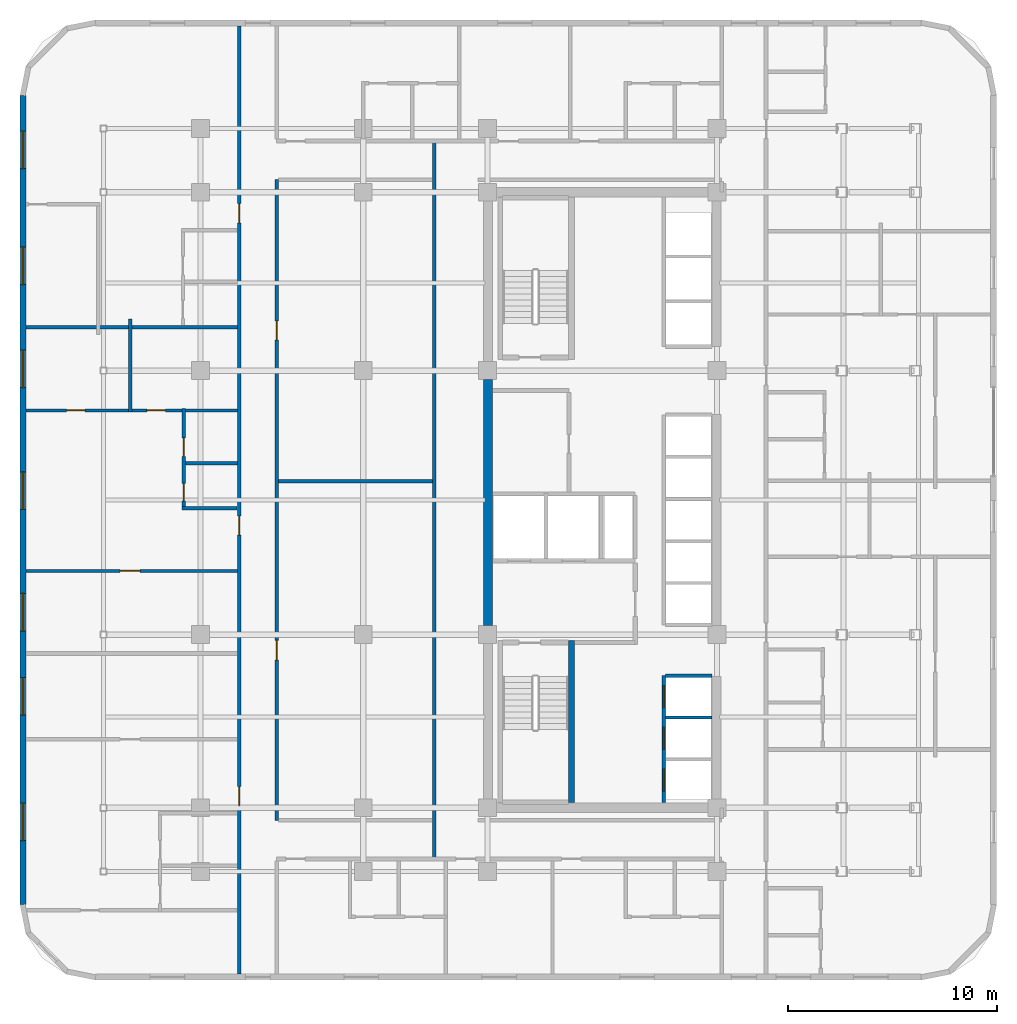
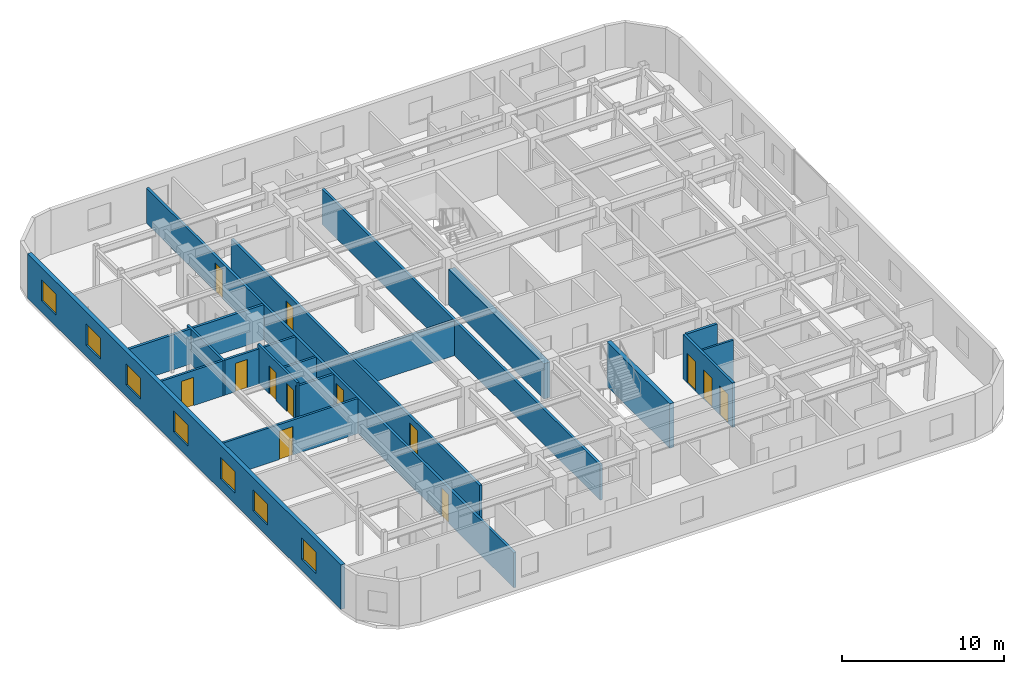
# One storey, part 8 of 13: 17 walls, 13 doors, 7 windows, 20 openings.
"""IFC4 building model written with IfcOpenShell, lengths in metres."""

from ifc_helpers import new_model, si_unit, direction, frame, frame_2d, origin, place, context, subcontext, project, spatial, rectangle, extrude, material, layer, layer_set, type_object, element, fill, save


model = new_model("IFC4")

# Units and contexts
model_context = context("Model", 3, precision=1e-05, world=origin(), true_north=direction((0.0, 1.0)))
body_context = subcontext(model_context, "Body", "Model", "MODEL_VIEW")
ifc_project = project(units=[si_unit("LENGTHUNIT", "METRE"), si_unit("AREAUNIT", "SQUARE_METRE"), si_unit("VOLUMEUNIT", "CUBIC_METRE"), si_unit("PLANEANGLEUNIT", "RADIAN"), si_unit("MASSUNIT", "GRAM", prefix="KILO")], contexts=[model_context])

# Site, building, storey
site_placement = place(None, origin())
site = spatial("IfcSite", under=ifc_project, at=site_placement, CompositionType="ELEMENT")
building_placement = place(site_placement, origin())
building = spatial("IfcBuilding", under=site, at=building_placement, Name="Ochreholt Gables", CompositionType="ELEMENT")
storey_placement = place(building_placement, frame((0.0, 0.0, 34.800048828125)))
storey = spatial("IfcBuildingStorey", under=building, at=storey_placement, Name="L08", CompositionType="ELEMENT", Elevation=34.800048828125)

# Wall
ifc_material_1 = material(Name="Concrete 60 MPa", Category="concrete")
ifc_layer_1 = layer(ifc_material_1, 0.449951171875, Name="Concrete 60 MPa")
ifc_layer_set_1 = layer_set([ifc_layer_1], Name="Concrete 60 MPa")
wall_type_1 = type_object("IfcWallType", Name="WALL-CSW-450", PredefinedType="SHEAR", material=ifc_layer_set_1)
wall_1_placement = place(storey_placement, frame((24.22509765625, 17.97509765625, 0.0), z_axis=(0.0, 0.0, 1.0), x_axis=(0.0, 1.0, 0.0)))
element("IfcWall", 1, at=wall_1_placement, inside=storey, type_object=wall_type_1, Name="L08 Core West Shear Wall WM", PredefinedType="SHEAR", context=body_context, shape_type="SweptSolid", body=[
    extrude(rectangle(XDim=11.7998046875, YDim=0.449951171875, at=frame_2d((5.89990234375, 0.0))), origin(), (0.0, 0.0, 1.0), 2.6669921875),
])

# Wall, openings, windows
ifc_material_2 = material(Name="Precast concrete 40 MPa", Category="concrete")
ifc_layer_2 = layer(ifc_material_2, 0.2900390625, Name="Precast concrete 40 MPa")
ifc_layer_set_2 = layer_set([ifc_layer_2], Name="Precast concrete 40 MPa")
wall_type_2 = type_object("IfcWallType", Name="WALL-EXT-290", PredefinedType="SOLIDWALL", material=ifc_layer_set_2)
wall_2_placement = place(storey_placement, frame((1.945068359375, 43.3798828125, 0.0), z_axis=(0.0, 0.0, 1.0), x_axis=(0.0, -1.0, 0.0)))
wall_2 = element("IfcWall", 2, at=wall_2_placement, inside=storey, type_object=wall_type_2, Name="L08 West Exterior Wall", PredefinedType="SOLIDWALL", context=body_context, shape_type="SweptSolid", body=[
    extrude(rectangle(XDim=38.759765625, YDim=0.2900390625, at=frame_2d((19.3798828125, 0.0))), origin(), (0.0, 0.0, 1.0), 3.35986328125),
])
opening_1_placement = place(wall_2_placement, frame((33.900146484375, 0.0, 0.85009765625)))
opening_1 = element("IfcOpeningElement", 3, at=opening_1_placement, cuts=wall_2, Name="Opening WN-1", PredefinedType="OPENING", context=body_context, shape_type="SweptSolid", body=[
    extrude(rectangle(XDim=1.800048828125, YDim=1.60009765625, at=frame_2d((0.89990234375, 0.800048828125))), frame((0.0, 0.155029296875, 0.0), z_axis=(0.0, -1.0, 0.0), x_axis=(1.0, 0.0, 0.0)), (0.0, 0.0, 1.0), 0.31005859375),
])
opening_2_placement = place(wall_2_placement, frame((27.89013671875, 0.0, 0.85009765625)))
opening_2 = element("IfcOpeningElement", 4, at=opening_2_placement, cuts=wall_2, Name="Opening WN-1", PredefinedType="OPENING", context=body_context, shape_type="SweptSolid", body=[
    extrude(rectangle(XDim=1.800048828125, YDim=1.60009765625, at=frame_2d((0.89990234375, 0.800048828125))), frame((0.0, 0.155029296875, 0.0), z_axis=(0.0, -1.0, 0.0), x_axis=(1.0, 0.0, 0.0)), (0.0, 0.0, 1.0), 0.31005859375),
])
opening_3_placement = place(wall_2_placement, frame((23.859130859375, 0.0, 0.85009765625)))
opening_3 = element("IfcOpeningElement", 5, at=opening_3_placement, cuts=wall_2, Name="Opening WN-1", PredefinedType="OPENING", context=body_context, shape_type="SweptSolid", body=[
    extrude(rectangle(XDim=1.800048828125, YDim=1.60009765625, at=frame_2d((0.89990234375, 0.800048828125))), frame((0.0, 0.155029296875, 0.0), z_axis=(0.0, -1.0, 0.0), x_axis=(1.0, 0.0, 0.0)), (0.0, 0.0, 1.0), 0.31005859375),
])
opening_4_placement = place(wall_2_placement, frame((18.0341796875, 0.0, 0.85009765625)))
opening_4 = element("IfcOpeningElement", 6, at=opening_4_placement, cuts=wall_2, Name="Opening WN-1", PredefinedType="OPENING", context=body_context, shape_type="SweptSolid", body=[
    extrude(rectangle(XDim=1.800048828125, YDim=1.60009765625, at=frame_2d((0.89990234375, 0.800048828125))), frame((0.0, 0.155029296875, 0.0), z_axis=(0.0, -1.0, 0.0), x_axis=(1.0, 0.0, 0.0)), (0.0, 0.0, 1.0), 0.31005859375),
])
opening_5_placement = place(wall_2_placement, frame((12.195068359375, 0.0, 0.85009765625)))
opening_5 = element("IfcOpeningElement", 7, at=opening_5_placement, cuts=wall_2, Name="Opening WN-1", PredefinedType="OPENING", context=body_context, shape_type="SweptSolid", body=[
    extrude(rectangle(XDim=1.800048828125, YDim=1.60009765625, at=frame_2d((0.89990234375, 0.800048828125))), frame((0.0, 0.155029296875, 0.0), z_axis=(0.0, -1.0, 0.0), x_axis=(1.0, 0.0, 0.0)), (0.0, 0.0, 1.0), 0.31005859375),
])
opening_6_placement = place(wall_2_placement, frame((7.2548828125, 0.0, 0.85009765625)))
opening_6 = element("IfcOpeningElement", 8, at=opening_6_placement, cuts=wall_2, Name="Opening WN-1", PredefinedType="OPENING", context=body_context, shape_type="SweptSolid", body=[
    extrude(rectangle(XDim=1.800048828125, YDim=1.60009765625, at=frame_2d((0.89990234375, 0.800048828125))), frame((0.0, 0.155029296875, 0.0), z_axis=(0.0, -1.0, 0.0), x_axis=(1.0, 0.0, 0.0)), (0.0, 0.0, 1.0), 0.31005859375),
])
opening_7_placement = place(wall_2_placement, frame((1.705078125, 0.0, 0.85009765625)))
opening_7 = element("IfcOpeningElement", 9, at=opening_7_placement, cuts=wall_2, Name="Opening WN-1", PredefinedType="OPENING", context=body_context, shape_type="SweptSolid", body=[
    extrude(rectangle(XDim=1.800048828125, YDim=1.60009765625, at=frame_2d((0.89990234375, 0.800048828125))), frame((0.0, 0.155029296875, 0.0), z_axis=(0.0, -1.0, 0.0), x_axis=(1.0, 0.0, 0.0)), (0.0, 0.0, 1.0), 0.31005859375),
])
ifc_material_3 = material(Name="Triple-Glazed Thermally Broken Aluminium Window", Category="aluminium")
window_type = type_object("IfcWindowType", Name="WIN-RES-1800", PartitioningType="SINGLE_PANEL", PredefinedType="WINDOW", material=ifc_material_3)
window_1_placement = place(opening_1_placement, origin())
window_1 = element("IfcWindow", 10, at=window_1_placement, inside=storey, type_object=window_type, Name="L08 Window W-EXT-W-L08-1", OverallHeight=1.60009765625, OverallWidth=1.800048828125, PartitioningType="SINGLE_PANEL", PredefinedType="WINDOW", context=body_context, shape_type="SweptSolid", body=[
    extrude(rectangle(XDim=1.800048828125, YDim=1.60009765625, at=frame_2d((0.89990234375, 0.800048828125))), frame((0.0, 0.030029296875, 0.0), z_axis=(0.0, -1.0, 0.0), x_axis=(1.0, 0.0, 0.0)), (0.0, 0.0, 1.0), 0.06005859375),
])
fill(opening_1, window_1)
window_2_placement = place(opening_2_placement, origin())
window_2 = element("IfcWindow", 11, at=window_2_placement, inside=storey, type_object=window_type, Name="L08 Window W-EXT-W-L08-2", OverallHeight=1.60009765625, OverallWidth=1.800048828125, PartitioningType="SINGLE_PANEL", PredefinedType="WINDOW", context=body_context, shape_type="SweptSolid", body=[
    extrude(rectangle(XDim=1.800048828125, YDim=1.60009765625, at=frame_2d((0.89990234375, 0.800048828125))), frame((0.0, 0.030029296875, 0.0), z_axis=(0.0, -1.0, 0.0), x_axis=(1.0, 0.0, 0.0)), (0.0, 0.0, 1.0), 0.06005859375),
])
fill(opening_2, window_2)
window_3_placement = place(opening_3_placement, origin())
window_3 = element("IfcWindow", 12, at=window_3_placement, inside=storey, type_object=window_type, Name="L08 Window W-EXT-W-L08-3", OverallHeight=1.60009765625, OverallWidth=1.800048828125, PartitioningType="SINGLE_PANEL", PredefinedType="WINDOW", context=body_context, shape_type="SweptSolid", body=[
    extrude(rectangle(XDim=1.800048828125, YDim=1.60009765625, at=frame_2d((0.89990234375, 0.800048828125))), frame((0.0, 0.030029296875, 0.0), z_axis=(0.0, -1.0, 0.0), x_axis=(1.0, 0.0, 0.0)), (0.0, 0.0, 1.0), 0.06005859375),
])
fill(opening_3, window_3)
window_4_placement = place(opening_4_placement, origin())
window_4 = element("IfcWindow", 13, at=window_4_placement, inside=storey, type_object=window_type, Name="L08 Window W-EXT-W-L08-4", OverallHeight=1.60009765625, OverallWidth=1.800048828125, PartitioningType="SINGLE_PANEL", PredefinedType="WINDOW", context=body_context, shape_type="SweptSolid", body=[
    extrude(rectangle(XDim=1.800048828125, YDim=1.60009765625, at=frame_2d((0.89990234375, 0.800048828125))), frame((0.0, 0.030029296875, 0.0), z_axis=(0.0, -1.0, 0.0), x_axis=(1.0, 0.0, 0.0)), (0.0, 0.0, 1.0), 0.06005859375),
])
fill(opening_4, window_4)
window_5_placement = place(opening_5_placement, origin())
window_5 = element("IfcWindow", 14, at=window_5_placement, inside=storey, type_object=window_type, Name="L08 Window W-EXT-W-L08-5", OverallHeight=1.60009765625, OverallWidth=1.800048828125, PartitioningType="SINGLE_PANEL", PredefinedType="WINDOW", context=body_context, shape_type="SweptSolid", body=[
    extrude(rectangle(XDim=1.800048828125, YDim=1.60009765625, at=frame_2d((0.89990234375, 0.800048828125))), frame((0.0, 0.030029296875, 0.0), z_axis=(0.0, -1.0, 0.0), x_axis=(1.0, 0.0, 0.0)), (0.0, 0.0, 1.0), 0.06005859375),
])
fill(opening_5, window_5)
window_6_placement = place(opening_6_placement, origin())
window_6 = element("IfcWindow", 15, at=window_6_placement, inside=storey, type_object=window_type, Name="L08 Window W-EXT-W-L08-6", OverallHeight=1.60009765625, OverallWidth=1.800048828125, PartitioningType="SINGLE_PANEL", PredefinedType="WINDOW", context=body_context, shape_type="SweptSolid", body=[
    extrude(rectangle(XDim=1.800048828125, YDim=1.60009765625, at=frame_2d((0.89990234375, 0.800048828125))), frame((0.0, 0.030029296875, 0.0), z_axis=(0.0, -1.0, 0.0), x_axis=(1.0, 0.0, 0.0)), (0.0, 0.0, 1.0), 0.06005859375),
])
fill(opening_6, window_6)
window_7_placement = place(opening_7_placement, origin())
window_7 = element("IfcWindow", 16, at=window_7_placement, inside=storey, type_object=window_type, Name="L08 Window W-EXT-W-L08-7", OverallHeight=1.60009765625, OverallWidth=1.800048828125, PartitioningType="SINGLE_PANEL", PredefinedType="WINDOW", context=body_context, shape_type="SweptSolid", body=[
    extrude(rectangle(XDim=1.800048828125, YDim=1.60009765625, at=frame_2d((0.89990234375, 0.800048828125))), frame((0.0, 0.030029296875, 0.0), z_axis=(0.0, -1.0, 0.0), x_axis=(1.0, 0.0, 0.0)), (0.0, 0.0, 1.0), 0.06005859375),
])
fill(opening_7, window_7)

# Wall
ifc_material_4 = material(Name="Fire-Rated Gypsum Acoustic Partition", Category="gypsum")
ifc_layer_3 = layer(ifc_material_4, 0.179931640625, Name="Fire-Rated Gypsum Acoustic Partition")
ifc_layer_set_3 = layer_set([ifc_layer_3], Name="Fire-Rated Gypsum Acoustic Partition")
wall_type_3 = type_object("IfcWallType", Name="WALL-INT-CR180", PredefinedType="STANDARD", material=ifc_layer_set_3)
wall_3_placement = place(storey_placement, frame((21.64990234375, 6.800048828125, 0.0), z_axis=(0.0, 0.0, 1.0), x_axis=(0.0, 1.0, 0.0)))
element("IfcWall", 17, at=wall_3_placement, inside=storey, type_object=wall_type_3, Name="L08 Interior Wall WI-C1W-L08", PredefinedType="STANDARD", context=body_context, shape_type="SweptSolid", body=[
    extrude(rectangle(XDim=34.39990234375, YDim=0.179931640625, at=frame_2d((17.199951171875, 0.0))), origin(), (0.0, 0.0, 1.0), 2.64892578125),
])

# Wall, openings, doors
wall_4_placement = place(storey_placement, frame((12.300048828125, 1.2900390625, 0.0), z_axis=(0.0, 0.0, 1.0), x_axis=(0.0, 1.0, 0.0)))
wall_4 = element("IfcWall", 18, at=wall_4_placement, inside=storey, type_object=wall_type_3, Name="L08 Interior Wall WI-C1WW-L08", PredefinedType="STANDARD", context=body_context, shape_type="SweptSolid", body=[
    extrude(rectangle(XDim=45.419921875, YDim=0.179931640625, at=frame_2d((22.7099609375, 0.0))), origin(), (0.0, 0.0, 1.0), 2.64892578125),
])
opening_8_placement = place(wall_4_placement, frame((8.06005859375, 0.0, 0.0)))
opening_8 = element("IfcOpeningElement", 19, at=opening_8_placement, cuts=wall_4, Name="Opening D-UN1", PredefinedType="OPENING", context=body_context, shape_type="SweptSolid", body=[
    extrude(rectangle(XDim=0.919921875, YDim=2.14990234375, at=frame_2d((0.4599609375, 1.074951171875))), frame((0.0, 0.099853515625, 0.0), z_axis=(0.0, -1.0, 0.0), x_axis=(1.0, 0.0, 0.0)), (0.0, 0.0, 1.0), 0.199951171875),
])
opening_9_placement = place(wall_4_placement, frame((21.021484375, 0.0, 0.0)))
opening_9 = element("IfcOpeningElement", 20, at=opening_9_placement, cuts=wall_4, Name="Opening D-UN1", PredefinedType="OPENING", context=body_context, shape_type="SweptSolid", body=[
    extrude(rectangle(XDim=0.919921875, YDim=2.14990234375, at=frame_2d((0.4599609375, 1.074951171875))), frame((0.0, 0.099853515625, 0.0), z_axis=(0.0, -1.0, 0.0), x_axis=(1.0, 0.0, 0.0)), (0.0, 0.0, 1.0), 0.199951171875),
])
opening_10_placement = place(wall_4_placement, frame((35.989990234375, 0.0, 0.0)))
opening_10 = element("IfcOpeningElement", 21, at=opening_10_placement, cuts=wall_4, Name="Opening D-UN1", PredefinedType="OPENING", context=body_context, shape_type="SweptSolid", body=[
    extrude(rectangle(XDim=0.919921875, YDim=2.14990234375, at=frame_2d((0.4599609375, 1.074951171875))), frame((0.0, 0.099853515625, 0.0), z_axis=(0.0, -1.0, 0.0), x_axis=(1.0, 0.0, 0.0)), (0.0, 0.0, 1.0), 0.199951171875),
])
ifc_material_5 = material(Name="Engineered Oak Timber", Category="wood")
door_type_1 = type_object("IfcDoorType", Name="DR-INT-UNT920", OperationType="NOTDEFINED", PredefinedType="DOOR", material=ifc_material_5)
door_1_placement = place(opening_8_placement, origin())
door_1 = element("IfcDoor", 22, at=door_1_placement, inside=storey, type_object=door_type_1, Name="L08 Door D-U-L08W1-ENT", OperationType="SINGLE_SWING_RIGHT", OverallHeight=2.14990234375, OverallWidth=0.919921875, PredefinedType="DOOR", context=body_context, shape_type="SweptSolid", body=[
    extrude(rectangle(XDim=0.919921875, YDim=2.14990234375, at=frame_2d((0.4599609375, 1.074951171875))), frame((0.0, 0.02490234375, 0.0), z_axis=(0.0, -1.0, 0.0), x_axis=(1.0, 0.0, 0.0)), (0.0, 0.0, 1.0), 0.050048828125),
])
fill(opening_8, door_1)
door_2_placement = place(opening_9_placement, origin())
door_2 = element("IfcDoor", 23, at=door_2_placement, inside=storey, type_object=door_type_1, Name="L08 Door D-U-L08W2-ENT", OperationType="SINGLE_SWING_LEFT", OverallHeight=2.14990234375, OverallWidth=0.919921875, PredefinedType="DOOR", context=body_context, shape_type="SweptSolid", body=[
    extrude(rectangle(XDim=0.919921875, YDim=2.14990234375, at=frame_2d((0.4599609375, 1.074951171875))), frame((0.0, 0.02490234375, 0.0), z_axis=(0.0, -1.0, 0.0), x_axis=(1.0, 0.0, 0.0)), (0.0, 0.0, 1.0), 0.050048828125),
])
fill(opening_9, door_2)
door_3_placement = place(opening_10_placement, origin())
door_3 = element("IfcDoor", 24, at=door_3_placement, inside=storey, type_object=door_type_1, Name="L08 Door D-U-L08W3-ENT", OperationType="SINGLE_SWING_RIGHT", OverallHeight=2.14990234375, OverallWidth=0.919921875, PredefinedType="DOOR", context=body_context, shape_type="SweptSolid", body=[
    extrude(rectangle(XDim=0.919921875, YDim=2.14990234375, at=frame_2d((0.4599609375, 1.074951171875))), frame((0.0, 0.02490234375, 0.0), z_axis=(0.0, -1.0, 0.0), x_axis=(1.0, 0.0, 0.0)), (0.0, 0.0, 1.0), 0.050048828125),
])
fill(opening_10, door_3)

wall_5_placement = place(storey_placement, frame((14.10009765625, 8.64990234375, 0.0), z_axis=(0.0, 0.0, 1.0), x_axis=(0.0, 1.0, 0.0)))
wall_5 = element("IfcWall", 25, at=wall_5_placement, inside=storey, type_object=wall_type_3, Name="L08 Interior Wall WI-C1WE-L08", PredefinedType="STANDARD", context=body_context, shape_type="SweptSolid", body=[
    extrude(rectangle(XDim=30.7001953125, YDim=0.179931640625, at=frame_2d((15.35009765625, 0.0))), origin(), (0.0, 0.0, 1.0), 2.64892578125),
])
opening_11_placement = place(wall_5_placement, frame((7.675048828125, 0.0, 0.0)))
opening_11 = element("IfcOpeningElement", 26, at=opening_11_placement, cuts=wall_5, Name="Opening D-GN1", PredefinedType="OPENING", context=body_context, shape_type="SweptSolid", body=[
    extrude(rectangle(XDim=0.949951171875, YDim=2.14990234375, at=frame_2d((0.47509765625, 1.074951171875))), frame((0.0, 0.099853515625, 0.0), z_axis=(0.0, -1.0, 0.0), x_axis=(1.0, 0.0, 0.0)), (0.0, 0.0, 1.0), 0.199951171875),
])
opening_12_placement = place(wall_5_placement, frame((23.02490234375, 0.0, 0.0)))
opening_12 = element("IfcOpeningElement", 27, at=opening_12_placement, cuts=wall_5, Name="Opening D-SV1", PredefinedType="OPENING", context=body_context, shape_type="SweptSolid", body=[
    extrude(rectangle(XDim=0.89990234375, YDim=2.10009765625, at=frame_2d((0.449951171875, 1.050048828125))), frame((0.0, 0.099853515625, 0.0), z_axis=(0.0, -1.0, 0.0), x_axis=(1.0, 0.0, 0.0)), (0.0, 0.0, 1.0), 0.199951171875),
])
door_type_2 = type_object("IfcDoorType", Name="DR-INT-GEN950", OperationType="NOTDEFINED", PredefinedType="DOOR", material=ifc_material_5)
door_4_placement = place(opening_11_placement, origin())
door_4 = element("IfcDoor", 28, at=door_4_placement, inside=storey, type_object=door_type_2, Name="L08 Door D-C1IW1-L08", OperationType="SINGLE_SWING_LEFT", OverallHeight=2.14990234375, OverallWidth=0.949951171875, PredefinedType="DOOR", context=body_context, shape_type="SweptSolid", body=[
    extrude(rectangle(XDim=0.949951171875, YDim=2.14990234375, at=frame_2d((0.47509765625, 1.074951171875))), frame((0.0, 0.02490234375, 0.0), z_axis=(0.0, -1.0, 0.0), x_axis=(1.0, 0.0, 0.0)), (0.0, 0.0, 1.0), 0.050048828125),
])
fill(opening_11, door_4)
ifc_material_6 = material(Name="Hollow Metal Steel", Category="steel")
door_type_3 = type_object("IfcDoorType", Name="DR-INT-SRV900", OperationType="NOTDEFINED", PredefinedType="DOOR", material=ifc_material_6)
door_5_placement = place(opening_12_placement, origin())
door_5 = element("IfcDoor", 29, at=door_5_placement, inside=storey, type_object=door_type_3, Name="L08 Door D-C1IW2-L08", OperationType="SINGLE_SWING_RIGHT", OverallHeight=2.10009765625, OverallWidth=0.89990234375, PredefinedType="DOOR", context=body_context, shape_type="SweptSolid", body=[
    extrude(rectangle(XDim=0.89990234375, YDim=2.10009765625, at=frame_2d((0.449951171875, 1.050048828125))), frame((0.0, 0.02490234375, 0.0), z_axis=(0.0, -1.0, 0.0), x_axis=(1.0, 0.0, 0.0)), (0.0, 0.0, 1.0), 0.050048828125),
])
fill(opening_12, door_5)

# Walls
ifc_material_7 = material(Name="Double-Stud Acoustic Demising Wall", Category="gypsum")
ifc_layer_4 = layer(ifc_material_7, 0.179931640625, Name="Double-Stud Acoustic Demising Wall")
ifc_layer_set_4 = layer_set([ifc_layer_4], Name="Double-Stud Acoustic Demising Wall")
wall_type_4 = type_object("IfcWallType", Name="WALL-INT-DM180", PredefinedType="PARTITIONING", material=ifc_layer_set_4)
wall_6_placement = place(storey_placement, frame((2.090087890625, 32.280029296875, 0.0), z_axis=(0.0, 0.0, 1.0), x_axis=(1.0, 0.0, 0.0)))
element("IfcWall", 30, at=wall_6_placement, inside=storey, type_object=wall_type_4, Name="L08 Interior Wall WI-UDW3-L08", PredefinedType="PARTITIONING", context=body_context, shape_type="SweptSolid", body=[
    extrude(rectangle(XDim=10.119873046875, YDim=0.179931640625, at=frame_2d((5.06005859375, 0.0))), origin(), (0.0, 0.0, 1.0), 2.64892578125),
])
ifc_material_8 = material(Name="Moisture-Resistant Plumbing Chase Wall", Category="gypsum")
ifc_layer_5 = layer(ifc_material_8, 0.159912109375, Name="Moisture-Resistant Plumbing Chase Wall")
ifc_layer_set_5 = layer_set([ifc_layer_5], Name="Moisture-Resistant Plumbing Chase Wall")
wall_type_5 = type_object("IfcWallType", Name="WALL-INT-PL160", PredefinedType="PLUMBINGWALL", material=ifc_layer_set_5)
wall_7_placement = place(storey_placement, frame((9.573974609375, 23.611572265625, 0.0), z_axis=(0.0, 0.0, 1.0), x_axis=(1.0, 0.0, 0.0)))
element("IfcWall", 31, at=wall_7_placement, inside=storey, type_object=wall_type_5, Name="L08 Interior Wall WU-L08W2-FYS", PredefinedType="PLUMBINGWALL", context=body_context, shape_type="SweptSolid", body=[
    extrude(rectangle(XDim=2.635986328125, YDim=0.159912109375, at=frame_2d((1.31787109375, 0.0))), origin(), (0.0, 0.0, 1.0), 2.64892578125),
])

# Wall, openings, doors
wall_8_placement = place(storey_placement, frame((9.654052734375, 23.521484375, 0.0), z_axis=(0.0, 0.0, 1.0), x_axis=(0.0, 1.0, 0.0)))
wall_8 = element("IfcWall", 32, at=wall_8_placement, inside=storey, type_object=wall_type_5, Name="L08 Interior Wall WU-L08W2-WX", PredefinedType="PLUMBINGWALL", context=body_context, shape_type="SweptSolid", body=[
    extrude(rectangle(XDim=4.8583984375, YDim=0.159912109375, at=frame_2d((2.42919921875, 0.0))), origin(), (0.0, 0.0, 1.0), 2.931884765625),
])
opening_13_placement = place(wall_8_placement, frame((0.419921875, 0.0, 0.0)))
opening_13 = element("IfcOpeningElement", 33, at=opening_13_placement, cuts=wall_8, Name="Opening D-BT1", PredefinedType="OPENING", context=body_context, shape_type="SweptSolid", body=[
    extrude(rectangle(XDim=0.860107421875, YDim=2.1201171875, at=frame_2d((0.43017578125, 1.06005859375))), frame((0.0, 0.08984375, 0.0), z_axis=(0.0, -1.0, 0.0), x_axis=(1.0, 0.0, 0.0)), (0.0, 0.0, 1.0), 0.179931640625),
])
opening_14_placement = place(wall_8_placement, frame((2.572021484375, 0.0, 0.0)))
opening_14 = element("IfcOpeningElement", 34, at=opening_14_placement, cuts=wall_8, Name="Opening D-GN2", PredefinedType="OPENING", context=body_context, shape_type="SweptSolid", body=[
    extrude(rectangle(XDim=0.8798828125, YDim=2.1201171875, at=frame_2d((0.43994140625, 1.06005859375))), frame((0.0, 0.08984375, 0.0), z_axis=(0.0, -1.0, 0.0), x_axis=(1.0, 0.0, 0.0)), (0.0, 0.0, 1.0), 0.179931640625),
])
door_type_4 = type_object("IfcDoorType", Name="DR-INT-BTH860", OperationType="NOTDEFINED", PredefinedType="DOOR", material=ifc_material_5)
door_6_placement = place(opening_13_placement, origin())
door_6 = element("IfcDoor", 35, at=door_6_placement, inside=storey, type_object=door_type_4, Name="L08 Door D-U-L08W2-BTH", OperationType="SINGLE_SWING_RIGHT", OverallHeight=2.1201171875, OverallWidth=0.860107421875, PredefinedType="DOOR", context=body_context, shape_type="SweptSolid", body=[
    extrude(rectangle(XDim=0.860107421875, YDim=2.1201171875, at=frame_2d((0.43017578125, 1.06005859375))), frame((0.0, 0.02490234375, 0.0), z_axis=(0.0, -1.0, 0.0), x_axis=(1.0, 0.0, 0.0)), (0.0, 0.0, 1.0), 0.050048828125),
])
fill(opening_13, door_6)
door_type_5 = type_object("IfcDoorType", Name="DR-INT-GEN880", OperationType="NOTDEFINED", PredefinedType="DOOR", material=ifc_material_5)
door_7_placement = place(opening_14_placement, origin())
door_7 = element("IfcDoor", 36, at=door_7_placement, inside=storey, type_object=door_type_5, Name="L08 Door D-U-L08W2-KIT", OperationType="SINGLE_SWING_LEFT", OverallHeight=2.1201171875, OverallWidth=0.8798828125, PredefinedType="DOOR", context=body_context, shape_type="SweptSolid", body=[
    extrude(rectangle(XDim=0.8798828125, YDim=2.1201171875, at=frame_2d((0.43994140625, 1.06005859375))), frame((0.0, 0.02490234375, 0.0), z_axis=(0.0, -1.0, 0.0), x_axis=(1.0, 0.0, 0.0)), (0.0, 0.0, 1.0), 0.050048828125),
])
fill(opening_14, door_7)

# Wall
wall_9_placement = place(storey_placement, frame((9.73388671875, 25.763671875, 0.0), z_axis=(0.0, 0.0, 1.0), x_axis=(1.0, 0.0, 0.0)))
element("IfcWall", 37, at=wall_9_placement, inside=storey, type_object=wall_type_5, Name="L08 Interior Wall WU-L08W2-WK", PredefinedType="PLUMBINGWALL", context=body_context, shape_type="SweptSolid", body=[
    extrude(rectangle(XDim=2.47607421875, YDim=0.159912109375, at=frame_2d((1.238037109375, 0.0))), origin(), (0.0, 0.0, 1.0), 2.64892578125),
])

# Wall, openings, doors
ifc_material_9 = material(Name="Gypsum Acoustic Stud Partition", Category="gypsum")
ifc_layer_6 = layer(ifc_material_9, 0.159912109375, Name="Gypsum Acoustic Stud Partition")
ifc_layer_set_6 = layer_set([ifc_layer_6], Name="Gypsum Acoustic Stud Partition")
wall_type_6 = type_object("IfcWallType", Name="WALL-INT-PT160", PredefinedType="PARTITIONING", material=ifc_layer_set_6)
wall_10_placement = place(storey_placement, frame((2.090087890625, 28.2900390625, 0.0), z_axis=(0.0, 0.0, 1.0), x_axis=(1.0, 0.0, 0.0)))
wall_10 = element("IfcWall", 38, at=wall_10_placement, inside=storey, type_object=wall_type_6, Name="L08 Interior Wall WU-L08W2-MN", PredefinedType="PARTITIONING", context=body_context, shape_type="SweptSolid", body=[
    extrude(rectangle(XDim=10.119873046875, YDim=0.159912109375, at=frame_2d((5.06005859375, 0.0))), origin(), (0.0, 0.0, 1.0), 2.64892578125),
])
opening_15_placement = place(wall_10_placement, frame((1.93994140625, 0.0, 0.0)))
opening_15 = element("IfcOpeningElement", 39, at=opening_15_placement, cuts=wall_10, Name="Opening D-BD2", PredefinedType="OPENING", context=body_context, shape_type="SweptSolid", body=[
    extrude(rectangle(XDim=0.8798828125, YDim=2.139892578125, at=frame_2d((0.43994140625, 1.06982421875))), frame((0.0, 0.08984375, 0.0), z_axis=(0.0, -1.0, 0.0), x_axis=(1.0, 0.0, 0.0)), (0.0, 0.0, 1.0), 0.179931640625),
])
opening_16_placement = place(wall_10_placement, frame((5.7919921875, 0.0, 0.0)))
opening_16 = element("IfcOpeningElement", 40, at=opening_16_placement, cuts=wall_10, Name="Opening D-BD2", PredefinedType="OPENING", context=body_context, shape_type="SweptSolid", body=[
    extrude(rectangle(XDim=0.8798828125, YDim=2.139892578125, at=frame_2d((0.43994140625, 1.06982421875))), frame((0.0, 0.08984375, 0.0), z_axis=(0.0, -1.0, 0.0), x_axis=(1.0, 0.0, 0.0)), (0.0, 0.0, 1.0), 0.179931640625),
])
door_type_6 = type_object("IfcDoorType", Name="DR-INT-BED880", OperationType="NOTDEFINED", PredefinedType="DOOR", material=ifc_material_5)
door_8_placement = place(opening_15_placement, origin())
door_8 = element("IfcDoor", 41, at=door_8_placement, inside=storey, type_object=door_type_6, Name="L08 Door D-U-L08W2-BD1", OperationType="SINGLE_SWING_LEFT", OverallHeight=2.139892578125, OverallWidth=0.8798828125, PredefinedType="DOOR", context=body_context, shape_type="SweptSolid", body=[
    extrude(rectangle(XDim=0.8798828125, YDim=2.139892578125, at=frame_2d((0.43994140625, 1.06982421875))), frame((0.0, 0.02490234375, 0.0), z_axis=(0.0, -1.0, 0.0), x_axis=(1.0, 0.0, 0.0)), (0.0, 0.0, 1.0), 0.050048828125),
])
fill(opening_15, door_8)
door_9_placement = place(opening_16_placement, origin())
door_9 = element("IfcDoor", 42, at=door_9_placement, inside=storey, type_object=door_type_6, Name="L08 Door D-U-L08W2-BD2", OperationType="SINGLE_SWING_RIGHT", OverallHeight=2.139892578125, OverallWidth=0.8798828125, PredefinedType="DOOR", context=body_context, shape_type="SweptSolid", body=[
    extrude(rectangle(XDim=0.8798828125, YDim=2.139892578125, at=frame_2d((0.43994140625, 1.06982421875))), frame((0.0, 0.02490234375, 0.0), z_axis=(0.0, -1.0, 0.0), x_axis=(1.0, 0.0, 0.0)), (0.0, 0.0, 1.0), 0.050048828125),
])
fill(opening_16, door_9)

# Wall, opening, door
wall_11_placement = place(storey_placement, frame((2.090087890625, 20.601806640625, 0.0), z_axis=(0.0, 0.0, 1.0), x_axis=(1.0, 0.0, 0.0)))
wall_11 = element("IfcWall", 43, at=wall_11_placement, inside=storey, type_object=wall_type_6, Name="L08 Interior Wall WU-L08W2-DNW", PredefinedType="PARTITIONING", context=body_context, shape_type="SweptSolid", body=[
    extrude(rectangle(XDim=10.119873046875, YDim=0.159912109375, at=frame_2d((5.06005859375, 0.0))), origin(), (0.0, 0.0, 1.0), 2.64892578125),
])
opening_17_placement = place(wall_11_placement, frame((4.510009765625, 0.0, 0.0)))
opening_17 = element("IfcOpeningElement", 44, at=opening_17_placement, cuts=wall_11, Name="Opening D-GN1", PredefinedType="OPENING", context=body_context, shape_type="SweptSolid", body=[
    extrude(rectangle(XDim=0.949951171875, YDim=2.14990234375, at=frame_2d((0.47509765625, 1.074951171875))), frame((0.0, 0.08984375, 0.0), z_axis=(0.0, -1.0, 0.0), x_axis=(1.0, 0.0, 0.0)), (0.0, 0.0, 1.0), 0.179931640625),
])
door_10_placement = place(opening_17_placement, origin())
door_10 = element("IfcDoor", 45, at=door_10_placement, inside=storey, type_object=door_type_2, Name="L08 Door D-U-L08W2-DIN", OperationType="SINGLE_SWING_RIGHT", OverallHeight=2.14990234375, OverallWidth=0.949951171875, PredefinedType="DOOR", context=body_context, shape_type="SweptSolid", body=[
    extrude(rectangle(XDim=0.949951171875, YDim=2.14990234375, at=frame_2d((0.47509765625, 1.074951171875))), frame((0.0, 0.02490234375, 0.0), z_axis=(0.0, -1.0, 0.0), x_axis=(1.0, 0.0, 0.0)), (0.0, 0.0, 1.0), 0.050048828125),
])
fill(opening_17, door_10)

# Walls
wall_12_placement = place(storey_placement, frame((7.080078125, 28.2099609375, 0.0), z_axis=(0.0, 0.0, 1.0), x_axis=(0.0, 1.0, 0.0)))
element("IfcWall", 46, at=wall_12_placement, inside=storey, type_object=wall_type_6, Name="L08 Interior Wall WU-L08W2-BSD", PredefinedType="PARTITIONING", context=body_context, shape_type="SweptSolid", body=[
    extrude(rectangle(XDim=4.4599609375, YDim=0.159912109375, at=frame_2d((2.22998046875, 0.0))), origin(), (0.0, 0.0, 1.0), 2.64892578125),
])
wall_13_placement = place(storey_placement, frame((14.18994140625, 24.89990234375, 0.0), z_axis=(0.0, 0.0, 1.0), x_axis=(1.0, 0.0, 0.0)))
element("IfcWall", 47, at=wall_13_placement, inside=storey, type_object=wall_type_6, Name="L08 Interior Wall WI-UDWI1-L08", PredefinedType="PARTITIONING", context=body_context, shape_type="SweptSolid", body=[
    extrude(rectangle(XDim=7.3701171875, YDim=0.159912109375, at=frame_2d((3.68505859375, 0.0))), origin(), (0.0, 0.0, 1.0), 2.64892578125),
])
ifc_material_10 = material(Name="Gypsum Shaftliner and Steel Stud", Category="steel")
ifc_layer_7 = layer(ifc_material_10, 0.14990234375, Name="Gypsum Shaftliner and Steel Stud")
ifc_layer_set_7 = layer_set([ifc_layer_7], Name="Gypsum Shaftliner and Steel Stud")
wall_type_7 = type_object("IfcWallType", Name="WALL-INT-SH150", PredefinedType="STANDARD", material=ifc_layer_set_7)
wall_14_placement = place(storey_placement, frame((32.739990234375, 13.570068359375, 0.0), z_axis=(0.0, 0.0, 1.0), x_axis=(1.0, 0.0, 0.0)))
element("IfcWall", 48, at=wall_14_placement, inside=storey, type_object=wall_type_7, Name="L08 Interior Wall WI-LFL-D2-L08", PredefinedType="STANDARD", context=body_context, shape_type="SweptSolid", body=[
    extrude(rectangle(XDim=2.2099609375, YDim=0.14990234375, at=frame_2d((1.10498046875, 0.0))), origin(), (0.0, 0.0, 1.0), 3.35986328125),
])

# Wall, openings, doors
ifc_layer_8 = layer(ifc_material_10, 0.179931640625, Name="Gypsum Shaftliner and Steel Stud")
ifc_layer_set_8 = layer_set([ifc_layer_8], Name="Gypsum Shaftliner and Steel Stud")
wall_type_8 = type_object("IfcWallType", Name="WALL-INT-SH180", PredefinedType="STANDARD", material=ifc_layer_set_8)
wall_15_placement = place(storey_placement, frame((32.64990234375, 9.5, 0.0), z_axis=(0.0, 0.0, 1.0), x_axis=(0.0, 1.0, 0.0)))
wall_15 = element("IfcWall", 49, at=wall_15_placement, inside=storey, type_object=wall_type_8, Name="L08 Interior Wall WI-LFL-FR-L08", PredefinedType="STANDARD", context=body_context, shape_type="SweptSolid", body=[
    extrude(rectangle(XDim=6.080078125, YDim=0.179931640625, at=frame_2d((3.0400390625, 0.0))), origin(), (0.0, 0.0, 1.0), 3.35986328125),
])
opening_18_placement = place(wall_15_placement, frame((0.550048828125, 0.0, 0.0)))
opening_18 = element("IfcOpeningElement", 50, at=opening_18_placement, cuts=wall_15, Name="Opening LD-PX", PredefinedType="OPENING", context=body_context, shape_type="SweptSolid", body=[
    extrude(rectangle(XDim=1.050048828125, YDim=2.199951171875, at=frame_2d((0.52490234375, 1.10009765625))), frame((0.0, 0.099853515625, 0.0), z_axis=(0.0, -1.0, 0.0), x_axis=(1.0, 0.0, 0.0)), (0.0, 0.0, 1.0), 0.199951171875),
])
opening_19_placement = place(wall_15_placement, frame((2.550048828125, 0.0, 0.0)))
opening_19 = element("IfcOpeningElement", 51, at=opening_19_placement, cuts=wall_15, Name="Opening LD-PX", PredefinedType="OPENING", context=body_context, shape_type="SweptSolid", body=[
    extrude(rectangle(XDim=1.050048828125, YDim=2.199951171875, at=frame_2d((0.52490234375, 1.10009765625))), frame((0.0, 0.099853515625, 0.0), z_axis=(0.0, -1.0, 0.0), x_axis=(1.0, 0.0, 0.0)), (0.0, 0.0, 1.0), 0.199951171875),
])
opening_20_placement = place(wall_15_placement, frame((4.550048828125, 0.0, 0.0)))
opening_20 = element("IfcOpeningElement", 52, at=opening_20_placement, cuts=wall_15, Name="Opening LD-PX", PredefinedType="OPENING", context=body_context, shape_type="SweptSolid", body=[
    extrude(rectangle(XDim=1.050048828125, YDim=2.199951171875, at=frame_2d((0.52490234375, 1.10009765625))), frame((0.0, 0.099853515625, 0.0), z_axis=(0.0, -1.0, 0.0), x_axis=(1.0, 0.0, 0.0)), (0.0, 0.0, 1.0), 0.199951171875),
])
ifc_material_11 = material(Name="Stainless Steel", Category="steel")
door_type_7 = type_object("IfcDoorType", Name="DR-LFT-PX1050", OperationType="NOTDEFINED", PredefinedType="DOOR", material=ifc_material_11)
door_11_placement = place(opening_18_placement, origin())
door_11 = element("IfcDoor", 53, at=door_11_placement, inside=storey, type_object=door_type_7, Name="L08 Door LD-L1-L08", OperationType="SLIDING_TO_LEFT", OverallHeight=2.199951171875, OverallWidth=1.050048828125, PredefinedType="DOOR", context=body_context, shape_type="SweptSolid", body=[
    extrude(rectangle(XDim=1.050048828125, YDim=2.199951171875, at=frame_2d((0.52490234375, 1.10009765625))), frame((0.0, 0.02490234375, 0.0), z_axis=(0.0, -1.0, 0.0), x_axis=(1.0, 0.0, 0.0)), (0.0, 0.0, 1.0), 0.050048828125),
])
fill(opening_18, door_11)
door_12_placement = place(opening_19_placement, origin())
door_12 = element("IfcDoor", 54, at=door_12_placement, inside=storey, type_object=door_type_7, Name="L08 Door LD-L2-L08", OperationType="SLIDING_TO_LEFT", OverallHeight=2.199951171875, OverallWidth=1.050048828125, PredefinedType="DOOR", context=body_context, shape_type="SweptSolid", body=[
    extrude(rectangle(XDim=1.050048828125, YDim=2.199951171875, at=frame_2d((0.52490234375, 1.10009765625))), frame((0.0, 0.02490234375, 0.0), z_axis=(0.0, -1.0, 0.0), x_axis=(1.0, 0.0, 0.0)), (0.0, 0.0, 1.0), 0.050048828125),
])
fill(opening_19, door_12)
door_13_placement = place(opening_20_placement, origin())
door_13 = element("IfcDoor", 55, at=door_13_placement, inside=storey, type_object=door_type_7, Name="L08 Door LD-L3-L08", OperationType="SLIDING_TO_LEFT", OverallHeight=2.199951171875, OverallWidth=1.050048828125, PredefinedType="DOOR", context=body_context, shape_type="SweptSolid", body=[
    extrude(rectangle(XDim=1.050048828125, YDim=2.199951171875, at=frame_2d((0.52490234375, 1.10009765625))), frame((0.0, 0.02490234375, 0.0), z_axis=(0.0, -1.0, 0.0), x_axis=(1.0, 0.0, 0.0)), (0.0, 0.0, 1.0), 0.050048828125),
])
fill(opening_20, door_13)

# Walls
wall_16_placement = place(storey_placement, frame((32.739990234375, 15.580078125, 0.0), z_axis=(0.0, 0.0, 1.0), x_axis=(1.0, 0.0, 0.0)))
element("IfcWall", 56, at=wall_16_placement, inside=storey, type_object=wall_type_8, Name="L08 Interior Wall WI-LFL-N-L08", PredefinedType="STANDARD", context=body_context, shape_type="SweptSolid", body=[
    extrude(rectangle(XDim=2.2099609375, YDim=0.179931640625, at=frame_2d((1.10498046875, 0.0))), origin(), (0.0, 0.0, 1.0), 3.35986328125),
])
ifc_layer_9 = layer(ifc_material_1, 0.300048828125, Name="Concrete 60 MPa")
ifc_layer_set_9 = layer_set([ifc_layer_9], Name="Concrete 60 MPa")
wall_type_9 = type_object("IfcWallType", Name="WALL-SPN-300", PredefinedType="SHEAR", material=ifc_layer_set_9)
wall_17_placement = place(storey_placement, frame((28.22998046875, 9.5, 0.0), z_axis=(0.0, 0.0, 1.0), x_axis=(0.0, 1.0, 0.0)))
element("IfcWall", 57, at=wall_17_placement, inside=storey, type_object=wall_type_9, Name="L08 Core South Spine Shear Wall", PredefinedType="SHEAR", context=body_context, shape_type="SweptSolid", body=[
    extrude(rectangle(XDim=7.760009765625, YDim=0.300048828125, at=frame_2d((3.8798828125, 0.0))), origin(), (0.0, 0.0, 1.0), 3.35986328125),
])

save(model, "model.ifc")
